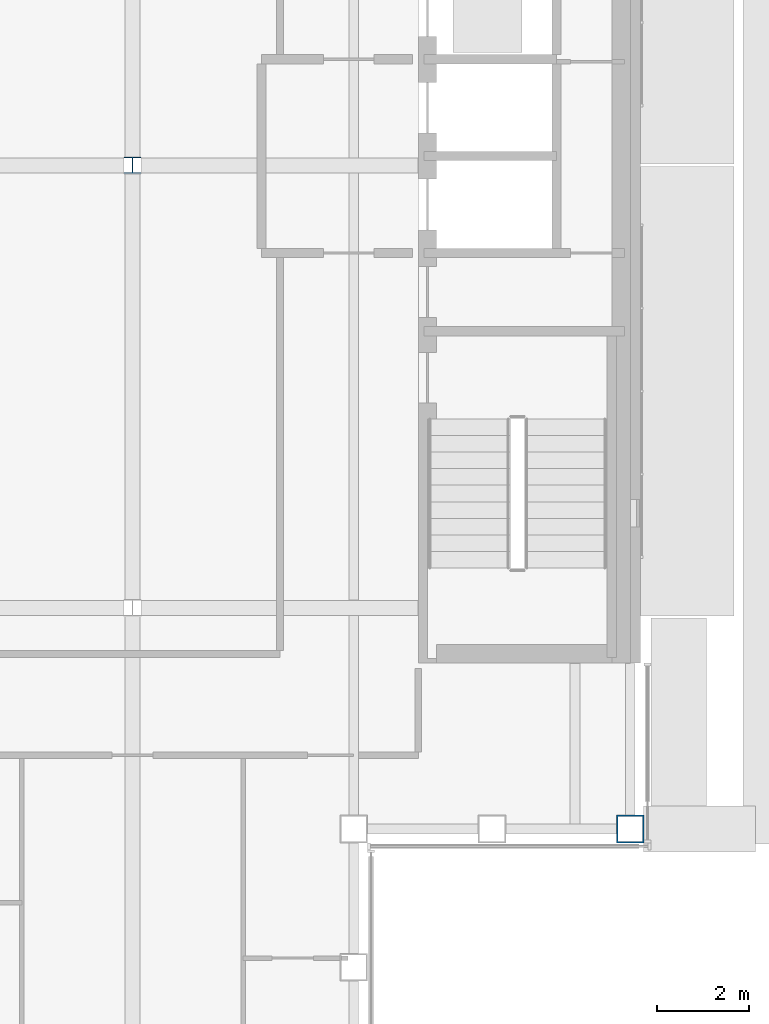
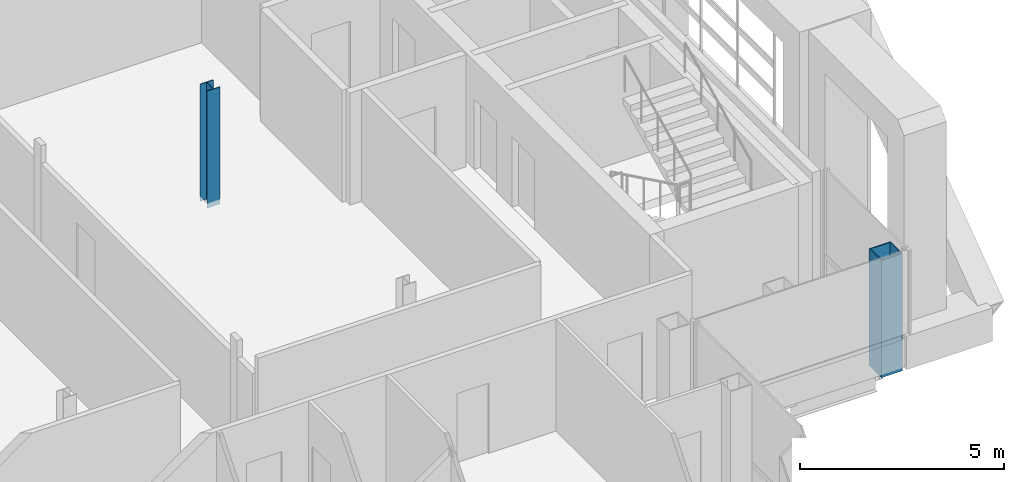
# One storey, part 2 of 23: 2 columns.
"""IFC4 building model written with IfcOpenShell, lengths in metres."""

from ifc_helpers import new_model, si_unit, direction, frame, origin, origin_2d, place, context, subcontext, project, spatial, hollow_rectangle, i_section, extrude, material, material_profile, profile_set, type_object, element, save


model = new_model("IFC4")

# Units and contexts
model_context = context("Model", 3, precision=1e-05, world=origin(), true_north=direction((0.0, 1.0)))
body_context = subcontext(model_context, "Body", "Model", "MODEL_VIEW")
ifc_project = project(units=[si_unit("LENGTHUNIT", "METRE"), si_unit("AREAUNIT", "SQUARE_METRE"), si_unit("VOLUMEUNIT", "CUBIC_METRE"), si_unit("PLANEANGLEUNIT", "RADIAN"), si_unit("MASSUNIT", "GRAM", prefix="KILO")], contexts=[model_context])

# Site, building, storey
site_placement = place(None, origin())
site = spatial("IfcSite", under=ifc_project, at=site_placement, CompositionType="ELEMENT")
building_placement = place(site_placement, origin())
building = spatial("IfcBuilding", under=site, at=building_placement, Name="Cobrizo Arcos Hotel Tower", CompositionType="ELEMENT")
storey_placement = place(building_placement, frame((0.0, 0.0, 255.0)))
storey = spatial("IfcBuildingStorey", under=building, at=storey_placement, Name="L67", CompositionType="ELEMENT", Elevation=255.0)

# Columns
ifc_material_1 = material(Name="Steel ASTM A572 Grade 50", Category="steel")
ifc_material_profile_1 = material_profile(ifc_material_1, hollow_rectangle(XDim=0.60009765625, YDim=0.60009765625, WallThickness=0.030029296875, at=origin_2d()), Name="BOX 600X600X30")
ifc_profile_set_1 = profile_set([ifc_material_profile_1], Name="Steel ASTM A572 Grade 50")
column_type_1 = type_object("IfcColumnType", Name="BOX 600X600X30 column", PredefinedType="COLUMN", material=ifc_profile_set_1)
column_1_placement = place(storey_placement, frame((20.39990234375, -14.39990234375, -0.14990234375), z_axis=(0.0, 0.0, 1.0), x_axis=(1.0, 0.0, 0.0)))
element("IfcColumn", 1, at=column_1_placement, inside=storey, type_object=column_type_1, Name="Perimeter column C12, L67, no. 14", PredefinedType="COLUMN", context=body_context, shape_type="SweptSolid", body=[
    extrude(hollow_rectangle(XDim=0.60009765625, YDim=0.60009765625, WallThickness=0.030029296875, at=origin_2d()), origin(), (0.0, 0.0, 1.0), 3.5),
])
ifc_material_2 = material(Name="Steel ASTM A992 Grade 50", Category="steel")
ifc_material_profile_2 = material_profile(ifc_material_2, i_section(OverallWidth=0.368408203125, OverallDepth=0.355712890625, WebThickness=0.01123046875, FlangeThickness=0.01806640625, at=origin_2d()), Name="W14X90")
ifc_profile_set_2 = profile_set([ifc_material_profile_2], Name="Steel ASTM A992 Grade 50")
column_type_2 = type_object("IfcColumnType", Name="W14X90 interior column", PredefinedType="COLUMN", material=ifc_profile_set_2)
column_2_placement = place(storey_placement, frame((9.60009765625, 0.0, -0.14990234375), z_axis=(0.0, 0.0, 1.0), x_axis=(1.0, 0.0, 0.0)))
element("IfcColumn", 2, at=column_2_placement, inside=storey, type_object=column_type_2, Name="Interior column C13, L67, no. 07", PredefinedType="COLUMN", context=body_context, shape_type="SweptSolid", body=[
    extrude(i_section(OverallWidth=0.368408203125, OverallDepth=0.355712890625, WebThickness=0.01123046875, FlangeThickness=0.01806640625, at=origin_2d()), origin(), (0.0, 0.0, 1.0), 3.5),
])

save(model, "model.ifc")
